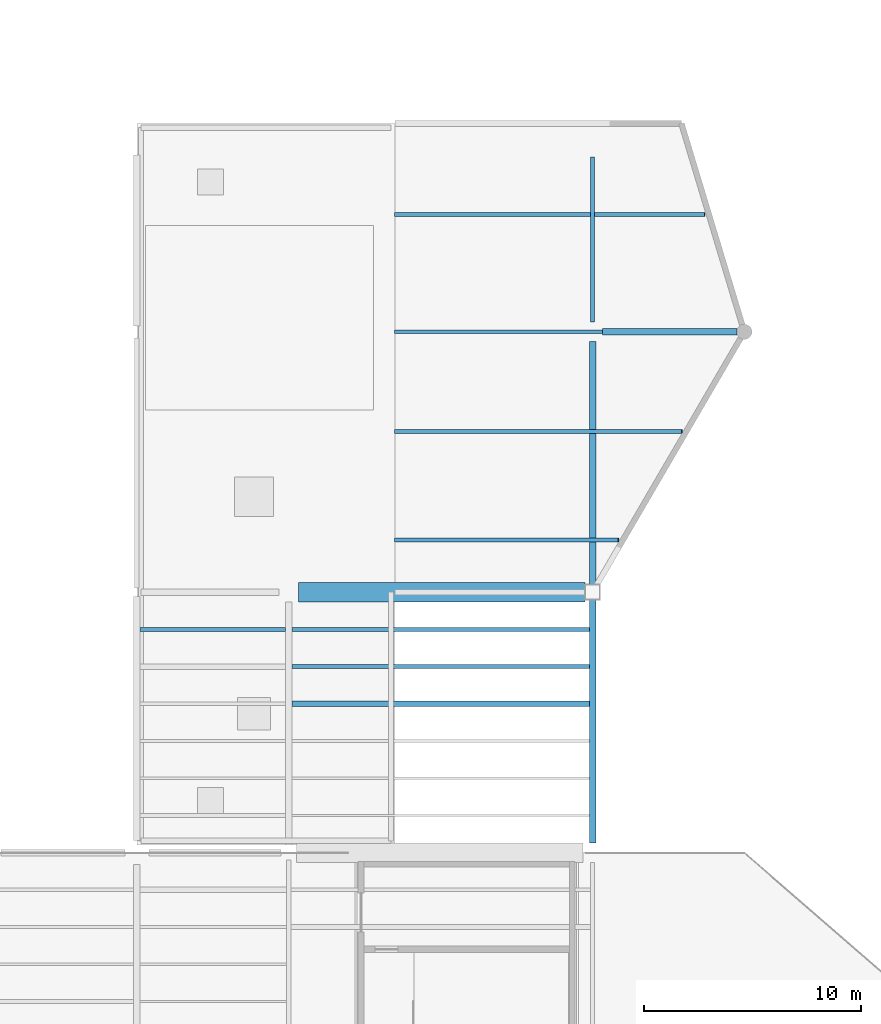
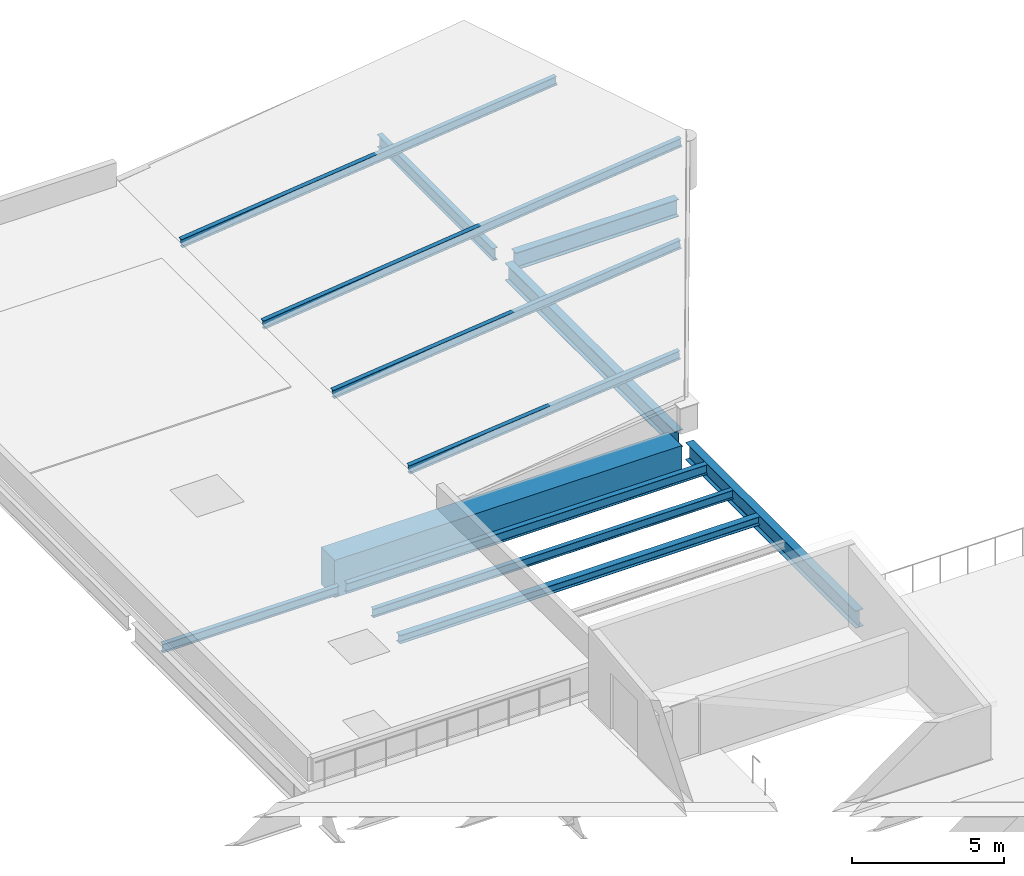
# One storey, part 39 of 77: 9 beams, 4 members.
"""IFC4 building model written with IfcOpenShell, lengths in metres."""

from ifc_helpers import new_model, si_unit, direction, frame, origin, origin_2d, place, context, subcontext, project, spatial, rectangle, i_section, extrude, material, material_profile, profile_set, type_object, element, save


model = new_model("IFC4")

# Units and contexts
model_context = context("Model", 3, precision=1e-05, world=origin(), true_north=direction((0.0, 1.0)))
body_context = subcontext(model_context, "Body", "Model", "MODEL_VIEW")
ifc_project = project(units=[si_unit("LENGTHUNIT", "METRE"), si_unit("AREAUNIT", "SQUARE_METRE"), si_unit("VOLUMEUNIT", "CUBIC_METRE"), si_unit("PLANEANGLEUNIT", "RADIAN"), si_unit("MASSUNIT", "GRAM", prefix="KILO")], contexts=[model_context])

# Site, building, storey
site_placement = place(None, origin())
site = spatial("IfcSite", under=ifc_project, at=site_placement, CompositionType="ELEMENT")
building_placement = place(site_placement, origin())
building = spatial("IfcBuilding", under=site, at=building_placement, Name="Larkvane Passage Sports Hall", CompositionType="ELEMENT")
storey_placement = place(building_placement, frame((0.0, 0.0, 22.199951171875)))
storey = spatial("IfcBuildingStorey", under=building, at=storey_placement, Name="RF", CompositionType="ELEMENT", Elevation=22.199951171875)

# Beams
ifc_material_1 = material(Name="Steel S460N", Category="steel")
ifc_material_profile_1 = material_profile(ifc_material_1, i_section(OverallWidth=0.300048828125, OverallDepth=0.69189453125, WebThickness=0.012939453125, FlangeThickness=0.02001953125, FilletRadius=0.02197265625, at=origin_2d()), Name="H-692x300x13x20")
ifc_profile_set_1 = profile_set([ifc_material_profile_1], Name="Steel S460N")
beam_type_1 = type_object("IfcBeamType", Name="BM-STL-H692", PredefinedType="BEAM", material=ifc_profile_set_1)
beam_1_placement = place(storey_placement, frame((145.60009765625, 52.050048828125, -0.725830078125), z_axis=(0.0, 1.0, 0.0), x_axis=(-1.0, 0.0, 0.0)))
element("IfcBeam", 1, at=beam_1_placement, inside=storey, type_object=beam_type_1, Name="Girder BM5-Y-RF-19-1194", PredefinedType="BEAM", context=body_context, shape_type="SweptSolid", body=[
    extrude(i_section(OverallWidth=0.300048828125, OverallDepth=0.69189453125, WebThickness=0.012939453125, FlangeThickness=0.02001953125, FilletRadius=0.02197265625, at=origin_2d()), origin(), (0.0, 0.0, 1.0), 11.199951171875),
])
ifc_material_profile_2 = material_profile(ifc_material_1, i_section(OverallWidth=0.300048828125, OverallDepth=0.699951171875, WebThickness=0.012939453125, FlangeThickness=0.02392578125, FilletRadius=0.02197265625, at=origin_2d()), Name="H-700x300x13x24")
ifc_profile_set_2 = profile_set([ifc_material_profile_2], Name="Steel S460N")
beam_type_2 = type_object("IfcBeamType", Name="BM-STL-H700", PredefinedType="BEAM", material=ifc_profile_set_2)
beam_2_placement = place(storey_placement, frame((146.050048828125, 75.60009765625, -0.72998046875), z_axis=(1.0, 0.0, 0.0), x_axis=(0.0, 1.0, 0.0)))
element("IfcBeam", 2, at=beam_2_placement, inside=storey, type_object=beam_type_2, Name="Girder BM5-X-RF-J-1153", PredefinedType="BEAM", context=body_context, shape_type="SweptSolid", body=[
    extrude(i_section(OverallWidth=0.300048828125, OverallDepth=0.699951171875, WebThickness=0.012939453125, FlangeThickness=0.02392578125, FilletRadius=0.02197265625, at=origin_2d()), origin(), (0.0, 0.0, 1.0), 6.199951171875),
])
beam_3_placement = place(storey_placement, frame((145.60009765625, 63.949951171875, -0.72998046875), z_axis=(0.0, 1.0, 0.0), x_axis=(-1.0, 0.0, 0.0)))
element("IfcBeam", 3, at=beam_3_placement, inside=storey, type_object=beam_type_2, Name="Girder BM5-Y-RF-19-1195", PredefinedType="BEAM", context=body_context, shape_type="SweptSolid", body=[
    extrude(i_section(OverallWidth=0.300048828125, OverallDepth=0.699951171875, WebThickness=0.012939453125, FlangeThickness=0.02392578125, FilletRadius=0.02197265625, at=origin_2d()), origin(), (0.0, 0.0, 1.0), 11.199951171875),
])
ifc_material_2 = material(Name="Steel S355JR", Category="steel")
ifc_material_profile_3 = material_profile(ifc_material_2, i_section(OverallWidth=0.25, OverallDepth=0.340087890625, WebThickness=0.009033203125, FlangeThickness=0.013916015625, FilletRadius=0.012939453125, at=origin_2d()), Name="H-340x250x9x14")
ifc_profile_set_3 = profile_set([ifc_material_profile_3], Name="Steel S355JR")
beam_type_3 = type_object("IfcBeamType", Name="JST-STL-H340", PredefinedType="JOIST", material=ifc_profile_set_3)
beam_4_placement = place(storey_placement, frame((131.75, 58.45703125, -0.550048828125), z_axis=(1.0, 0.0, 0.0), x_axis=(0.0, 1.0, 0.0)))
element("IfcBeam", 4, at=beam_4_placement, inside=storey, type_object=beam_type_3, Name="Composite joist RF 18/G-4", PredefinedType="JOIST", context=body_context, shape_type="SweptSolid", body=[
    extrude(i_section(OverallWidth=0.25, OverallDepth=0.340087890625, WebThickness=0.009033203125, FlangeThickness=0.013916015625, FilletRadius=0.012939453125, at=origin_2d()), origin(), (0.0, 0.0, 1.0), 13.699951171875),
])
ifc_material_profile_4 = material_profile(ifc_material_2, i_section(OverallWidth=0.175048828125, OverallDepth=0.35009765625, WebThickness=0.007080078125, FlangeThickness=0.010986328125, FilletRadius=0.012939453125, at=origin_2d()), Name="H-350x175x7x11")
ifc_profile_set_4 = profile_set([ifc_material_profile_4], Name="Steel S355JR")
beam_type_4 = type_object("IfcBeamType", Name="JST-STL-H350", PredefinedType="JOIST", material=ifc_profile_set_4)
beam_5_placement = place(storey_placement, frame((124.75, 61.8857421875, -0.554931640625), z_axis=(1.0, 0.0, 0.0), x_axis=(0.0, 1.0, 0.0)))
element("IfcBeam", 5, at=beam_5_placement, inside=storey, type_object=beam_type_4, Name="Composite joist RF 17/G-6", PredefinedType="JOIST", context=body_context, shape_type="SweptSolid", body=[
    extrude(i_section(OverallWidth=0.175048828125, OverallDepth=0.35009765625, WebThickness=0.007080078125, FlangeThickness=0.010986328125, FilletRadius=0.012939453125, at=origin_2d()), origin(), (0.0, 0.0, 1.0), 6.699951171875),
])
beam_6_placement = place(storey_placement, frame((131.75, 60.17138671875, -0.554931640625), z_axis=(1.0, 0.0, 0.0), x_axis=(0.0, 1.0, 0.0)))
element("IfcBeam", 6, at=beam_6_placement, inside=storey, type_object=beam_type_4, Name="Composite joist RF 18/G-5", PredefinedType="JOIST", context=body_context, shape_type="SweptSolid", body=[
    extrude(i_section(OverallWidth=0.175048828125, OverallDepth=0.35009765625, WebThickness=0.007080078125, FlangeThickness=0.010986328125, FilletRadius=0.012939453125, at=origin_2d()), origin(), (0.0, 0.0, 1.0), 13.699951171875),
])
ifc_material_profile_5 = material_profile(ifc_material_2, i_section(OverallWidth=0.199951171875, OverallDepth=0.39990234375, WebThickness=0.008056640625, FlangeThickness=0.012939453125, FilletRadius=0.012939453125, at=origin_2d()), Name="H-400x200x8x13")
ifc_profile_set_5 = profile_set([ifc_material_profile_5], Name="Steel S355JR")
beam_type_5 = type_object("IfcBeamType", Name="JST-STL-H400", PredefinedType="JOIST", material=ifc_profile_set_5)
beam_7_placement = place(storey_placement, frame((131.75, 61.8857421875, -0.579833984375), z_axis=(1.0, 0.0, 0.0), x_axis=(0.0, 1.0, 0.0)))
element("IfcBeam", 7, at=beam_7_placement, inside=storey, type_object=beam_type_5, Name="Composite joist RF 18/G-6", PredefinedType="JOIST", context=body_context, shape_type="SweptSolid", body=[
    extrude(i_section(OverallWidth=0.199951171875, OverallDepth=0.39990234375, WebThickness=0.008056640625, FlangeThickness=0.012939453125, FilletRadius=0.012939453125, at=origin_2d()), origin(), (0.0, 0.0, 1.0), 13.699951171875),
])

# Members
ifc_material_profile_6 = material_profile(ifc_material_2, i_section(OverallWidth=0.175048828125, OverallDepth=0.35009765625, WebThickness=0.007080078125, FlangeThickness=0.010986328125, FilletRadius=0.012939453125, at=origin_2d()), Name="H-350x175x7x11")
ifc_profile_set_6 = profile_set([ifc_material_profile_6], Name="Steel S355JR")
member_type = type_object("IfcMemberType", Name="MBR-RF-H350", PredefinedType="RAFTER", material=ifc_profile_set_6)
member_1_placement = place(storey_placement, frame((136.5, 66.0, 0.02001953125), z_axis=(0.995055621302, 0.0, 0.099319235377), x_axis=(0.0, 1.0, 0.0)))
element("IfcMember", 8, at=member_1_placement, inside=storey, type_object=member_type, Name="Studio wing sloped roof rafter 1", PredefinedType="RAFTER", context=body_context, shape_type="SweptSolid", body=[
    extrude(i_section(OverallWidth=0.175048828125, OverallDepth=0.35009765625, WebThickness=0.007080078125, FlangeThickness=0.010986328125, FilletRadius=0.012939453125, at=origin_2d()), origin(), (0.0, 0.0, 1.0), 10.351318359375),
])
member_2_placement = place(storey_placement, frame((136.5, 71.0, 0.02001953125), z_axis=(0.994229885283, 0.0, 0.107270383655), x_axis=(0.0, 1.0, 0.0)))
element("IfcMember", 9, at=member_2_placement, inside=storey, type_object=member_type, Name="Studio wing sloped roof rafter 2", PredefinedType="RAFTER", context=body_context, shape_type="SweptSolid", body=[
    extrude(i_section(OverallWidth=0.175048828125, OverallDepth=0.35009765625, WebThickness=0.007080078125, FlangeThickness=0.010986328125, FilletRadius=0.012939453125, at=origin_2d()), origin(), (0.0, 0.0, 1.0), 13.293701171875),
])
member_3_placement = place(storey_placement, frame((136.5, 75.60009765625, 0.02001953125), z_axis=(0.993701914476, 0.0, 0.112055812731), x_axis=(0.0, 1.0, 0.0)))
element("IfcMember", 10, at=member_3_placement, inside=storey, type_object=member_type, Name="Studio wing sloped roof rafter 3", PredefinedType="RAFTER", context=body_context, shape_type="SweptSolid", body=[
    extrude(i_section(OverallWidth=0.175048828125, OverallDepth=0.35009765625, WebThickness=0.007080078125, FlangeThickness=0.010986328125, FilletRadius=0.012939453125, at=origin_2d()), origin(), (0.0, 0.0, 1.0), 16.000732421875),
])
member_4_placement = place(storey_placement, frame((136.5, 81.0, 0.02001953125), z_axis=(0.994000769462, 0.0, 0.109373078541), x_axis=(0.0, 1.0, 0.0)))
element("IfcMember", 11, at=member_4_placement, inside=storey, type_object=member_type, Name="Studio wing sloped roof rafter 4", PredefinedType="RAFTER", context=body_context, shape_type="SweptSolid", body=[
    extrude(i_section(OverallWidth=0.175048828125, OverallDepth=0.35009765625, WebThickness=0.007080078125, FlangeThickness=0.010986328125, FilletRadius=0.012939453125, at=origin_2d()), origin(), (0.0, 0.0, 1.0), 14.355224609375),
])

# Beams
ifc_material_3 = material(Name="Concrete C50/60", Category="concrete")
ifc_material_profile_7 = material_profile(ifc_material_3, rectangle(XDim=0.89990234375, YDim=1.5, at=origin_2d()), Name="PT-GIR-900x1500")
ifc_profile_set_7 = profile_set([ifc_material_profile_7], Name="Concrete C50/60")
beam_type_6 = type_object("IfcBeamType", Name="PTG-900x1500", PredefinedType="BEAM", material=ifc_profile_set_7)
beam_8_placement = place(storey_placement, frame((132.050048828125, 63.60009765625, -1.1298828125), z_axis=(1.0, 0.0, 0.0), x_axis=(0.0, 1.0, 0.0)))
element("IfcBeam", 12, at=beam_8_placement, inside=storey, type_object=beam_type_6, Name="Post-tensioned transfer girder BM5-X-RF-H-1145", PredefinedType="BEAM", context=body_context, shape_type="SweptSolid", body=[
    extrude(rectangle(XDim=0.89990234375, YDim=1.5, at=origin_2d()), origin(), (0.0, 0.0, 1.0), 13.199951171875),
])
ifc_material_profile_8 = material_profile(ifc_material_2, i_section(OverallWidth=0.199951171875, OverallDepth=0.5, WebThickness=0.010009765625, FlangeThickness=0.01611328125, FilletRadius=0.01806640625, at=origin_2d()), Name="H-500x200x10x16")
ifc_profile_set_8 = profile_set([ifc_material_profile_8], Name="Steel S355JR")
beam_type_7 = type_object("IfcBeamType", Name="SP-STL-H500", PredefinedType="SPANDREL", material=ifc_profile_set_8)
beam_9_placement = place(storey_placement, frame((145.60009765625, 76.050048828125, -0.6298828125), z_axis=(0.0, 1.0, 0.0), x_axis=(-1.0, 0.0, 0.0)))
element("IfcBeam", 13, at=beam_9_placement, inside=storey, type_object=beam_type_7, Name="Girder BM5-Y-RF-19-1196", PredefinedType="SPANDREL", context=body_context, shape_type="SweptSolid", body=[
    extrude(i_section(OverallWidth=0.199951171875, OverallDepth=0.5, WebThickness=0.010009765625, FlangeThickness=0.01611328125, FilletRadius=0.01806640625, at=origin_2d()), origin(), (0.0, 0.0, 1.0), 7.599853515625),
])

save(model, "model.ifc")
